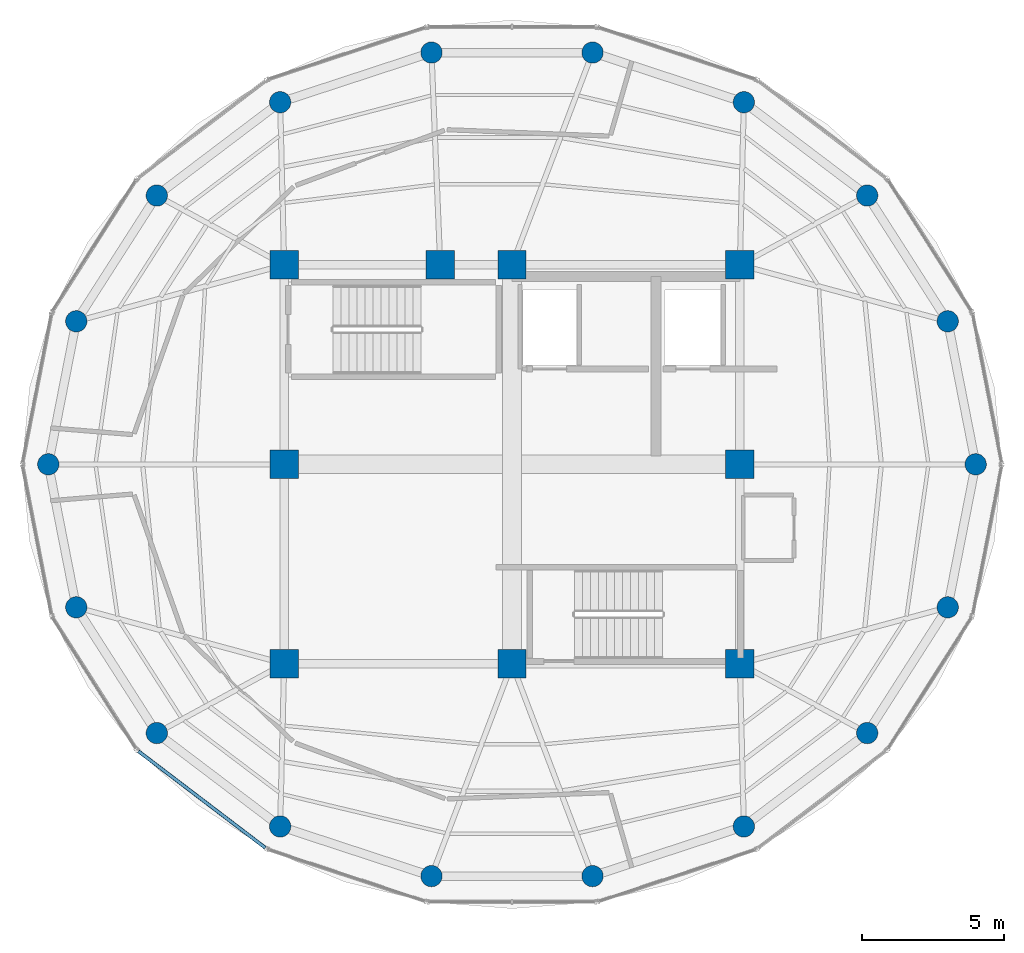
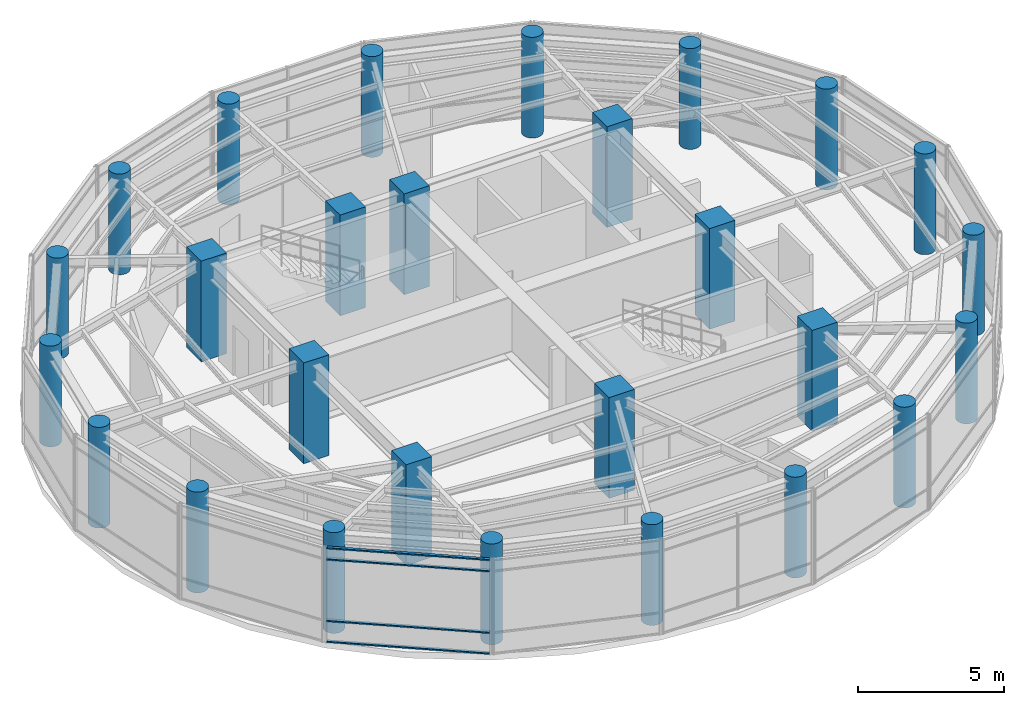
# One storey, part 1 of 19: 27 columns, 4 members, 1 element without a shape of its own.
"""IFC4 building model written with IfcOpenShell, lengths in metres."""

from ifc_helpers import new_model, si_unit, direction, frame, origin, origin_2d, place, context, subcontext, project, spatial, rectangle, hollow_rectangle, circle, extrude, material, layer, layer_set, material_profile, profile_set, type_object, element, aggregate, save


model = new_model("IFC4")

# Units and contexts
model_context = context("Model", 3, precision=1e-05, world=origin(), true_north=direction((0.0, 1.0)))
body_context = subcontext(model_context, "Body", "Model", "MODEL_VIEW")
ifc_project = project(units=[si_unit("LENGTHUNIT", "METRE"), si_unit("AREAUNIT", "SQUARE_METRE"), si_unit("VOLUMEUNIT", "CUBIC_METRE"), si_unit("PLANEANGLEUNIT", "RADIAN"), si_unit("MASSUNIT", "GRAM", prefix="KILO")], contexts=[model_context])

# Site, building, storey
site_placement = place(None, origin())
site = spatial("IfcSite", under=ifc_project, at=site_placement, CompositionType="ELEMENT")
building_placement = place(site_placement, origin())
building = spatial("IfcBuilding", under=site, at=building_placement, Name="Kelanora Arch Commons", CompositionType="ELEMENT")
storey_placement = place(building_placement, frame((0.0, 0.0, 306.89990234375)))
storey = spatial("IfcBuildingStorey", under=building, at=storey_placement, Name="L78", CompositionType="ELEMENT", Elevation=306.89990234375)

# Columns
ifc_material_1 = material(Name="Concrete C50/60", Category="concrete")
ifc_material_profile_1 = material_profile(ifc_material_1, circle(Radius=0.375, at=origin_2d()), Name="RCC750")
ifc_profile_set_1 = profile_set([ifc_material_profile_1], Name="Concrete C50/60")
column_type_1 = type_object("IfcColumnType", Name="COL-PERIM-Z6", PredefinedType="COLUMN", material=ifc_profile_set_1)
for number, where, z_axis, x_axis, name in (
    (1, (90.280029296875, 58.0, 0.0), (0.0, 0.0, 1.0), (1.0, 0.0, 0.0), "Perimeter Ring Column CP-00 L78"),
    (2, (89.298095703125, 63.02099609375, 0.0), (0.0, 0.0, 1.0), (1.0, 0.0, 0.0), "Perimeter Ring Column CP-02 L78"),
    (3, (86.47119140625, 67.43603515625, 0.0), (0.0, 0.0, 1.0), (1.0, 0.0, 0.0), "Perimeter Ring Column CP-04 L78"),
    (4, (82.139892578125, 70.71337890625, 0.0), (0.0, 0.0, 1.0), (1.0, 0.0, 0.0), "Perimeter Ring Column CP-06 L78"),
    (5, (76.826904296875, 72.45703125, 0.0), (0.0, 0.0, 1.0), (1.0, 0.0, 0.0), "Perimeter Ring Column CP-08 L78"),
    (6, (71.173095703125, 72.45703125, 0.0), (0.0, 0.0, 1.0), (1.0, 0.0, 0.0), "Perimeter Ring Column CP-10 L78"),
    (7, (65.860107421875, 70.71337890625, 0.0), (0.0, 0.0, 1.0), (1.0, 0.0, 0.0), "Perimeter Ring Column CP-12 L78"),
    (8, (61.52880859375, 67.43603515625, 0.0), (0.0, 0.0, 1.0), (1.0, 0.0, 0.0), "Perimeter Ring Column CP-14 L78"),
    (9, (58.701904296875, 63.02099609375, 0.0), (0.0, 0.0, 1.0), (1.0, 0.0, 0.0), "Perimeter Ring Column CP-16 L78"),
    (10, (57.719970703125, 58.0, 0.0), (0.0, 0.0, 1.0), (1.0, 0.0, 0.0), "Perimeter Ring Column CP-18 L78"),
    (11, (58.701904296875, 52.97900390625, 0.0), (0.0, 0.0, 1.0), (1.0, 0.0, 0.0), "Perimeter Ring Column CP-20 L78"),
    (12, (61.52880859375, 48.56396484375, 0.0), (0.0, 0.0, 1.0), (1.0, 0.0, 0.0), "Perimeter Ring Column CP-22 L78"),
    (13, (65.860107421875, 45.28662109375, 0.0), (0.0, 0.0, 1.0), (1.0, 0.0, 0.0), "Perimeter Ring Column CP-24 L78"),
    (14, (71.173095703125, 43.54296875, 0.0), (0.0, 0.0, 1.0), (1.0, 0.0, 0.0), "Perimeter Ring Column CP-26 L78"),
    (15, (76.826904296875, 43.54296875, 0.0), (0.0, 0.0, 1.0), (1.0, 0.0, 0.0), "Perimeter Ring Column CP-28 L78"),
    (16, (82.139892578125, 45.28662109375, 0.0), (0.0, 0.0, 1.0), (1.0, 0.0, 0.0), "Perimeter Ring Column CP-30 L78"),
    (17, (86.47119140625, 48.56396484375, 0.0), (0.0, 0.0, 1.0), (1.0, 0.0, 0.0), "Perimeter Ring Column CP-32 L78"),
    (18, (89.298095703125, 52.97900390625, 0.0), (0.0, 0.0, 1.0), (1.0, 0.0, 0.0), "Perimeter Ring Column CP-34 L78"),
):
    element("IfcColumn", number, at=place(storey_placement, frame(where, z_axis=z_axis, x_axis=x_axis)), inside=storey, type_object=column_type_1, Name=name, PredefinedType="COLUMN", context=body_context, shape_type="SweptSolid", body=[
        extrude(circle(Radius=0.375, at=origin_2d()), origin(), (0.0, 0.0, 1.0), 4.2001953125),
    ])
ifc_material_profile_2 = material_profile(ifc_material_1, rectangle(XDim=1.0, YDim=1.0, at=origin_2d()), Name="RC1000x1000")
ifc_profile_set_2 = profile_set([ifc_material_profile_2], Name="Concrete C50/60")
column_type_2 = type_object("IfcColumnType", Name="COL-PIL-HIGH", PredefinedType="PILASTER", material=ifc_profile_set_2)
for number, where, z_axis, x_axis, name in (
    (19, (66.0, 51.0, 0.0), (0.0, 0.0, 1.0), (1.0, 0.0, 0.0), "Core Pilaster Column CP1 L78"),
    (20, (74.0, 51.0, 0.0), (0.0, 0.0, 1.0), (1.0, 0.0, 0.0), "Core Pilaster Column CP2 L78"),
    (21, (82.0, 51.0, 0.0), (0.0, 0.0, 1.0), (1.0, 0.0, 0.0), "Core Pilaster Column CP3 L78"),
    (22, (82.0, 58.0, 0.0), (0.0, 0.0, 1.0), (1.0, 0.0, 0.0), "Core Pilaster Column CP4 L78"),
    (23, (82.0, 65.0, 0.0), (0.0, 0.0, 1.0), (1.0, 0.0, 0.0), "Core Pilaster Column CP5 L78"),
    (24, (74.0, 65.0, 0.0), (0.0, 0.0, 1.0), (1.0, 0.0, 0.0), "Core Pilaster Column CP6 L78"),
    (25, (71.47998046875, 65.0, 0.0), (0.0, 0.0, 1.0), (1.0, 0.0, 0.0), "Core Pilaster Column CP9 L78"),
    (26, (66.0, 65.0, 0.0), (0.0, 0.0, 1.0), (1.0, 0.0, 0.0), "Core Pilaster Column CP7 L78"),
    (27, (66.0, 58.0, 0.0), (0.0, 0.0, 1.0), (1.0, 0.0, 0.0), "Core Pilaster Column CP8 L78"),
):
    element("IfcColumn", number, at=place(storey_placement, frame(where, z_axis=z_axis, x_axis=x_axis)), inside=storey, type_object=column_type_2, Name=name, PredefinedType="PILASTER", context=body_context, shape_type="SweptSolid", body=[
        extrude(rectangle(XDim=1.0, YDim=1.0, at=origin_2d()), origin(), (0.0, 0.0, 1.0), 4.2001953125),
    ])

# Curtain wall, members
ifc_material_2 = material(Name="Terracotta ceramic-fritted low-E glass and aluminium", Category="masonry")
ifc_layer = layer(ifc_material_2, 0.14990234375)
ifc_layer_set = layer_set([ifc_layer], Name="Terracotta ceramic-fritted low-E glass and aluminium")
curtain_wall_type = type_object("IfcCurtainWallType", Name="CW-SYS-06", PredefinedType="NOTDEFINED", material=ifc_layer_set)
curtain_wall_placement = place(storey_placement, origin())
curtain_wall = element("IfcCurtainWall", 28, at=curtain_wall_placement, inside=storey, type_object=curtain_wall_type, Name="Unitised Curtain Wall L78-B11", PredefinedType="NOTDEFINED")
ifc_material_3 = material(Name="Powder-coated aluminium terracotta", Category="masonry")
ifc_material_profile_3 = material_profile(ifc_material_3, hollow_rectangle(XDim=0.1201171875, YDim=0.06005859375, WallThickness=0.0048828125, InnerFilletRadius=0.0048828125, OuterFilletRadius=0.010009765625, at=origin_2d()), Name="CWT120x60")
ifc_profile_set_3 = profile_set([ifc_material_profile_3], Name="Powder-coated aluminium terracotta")
member_type = type_object("IfcMemberType", Name="CWT-STD", PredefinedType="USERDEFINED", material=ifc_profile_set_3)
member_1_placement = place(storey_placement, frame((60.883544921875, 47.927001953125, 0.030029296875), z_axis=(0.79577982782, -0.605586051387, 0.0), x_axis=(0.605586051387, 0.79577982782, 0.0)))
member_1 = element("IfcMember", 29, at=member_1_placement, type_object=member_type, Name="CW-06 transom 1.1", ObjectType="TRANSOM", PredefinedType="USERDEFINED", context=body_context, shape_type="SweptSolid", body=[
    extrude(hollow_rectangle(XDim=0.1201171875, YDim=0.06005859375, WallThickness=0.0048828125, InnerFilletRadius=0.0048828125, OuterFilletRadius=0.010009765625, at=origin_2d()), origin(), (0.0, 0.0, 1.0), 5.6005859375),
])
member_2_placement = place(storey_placement, frame((60.883544921875, 47.927001953125, 0.900146484375), z_axis=(0.79577982782, -0.605586051387, 0.0), x_axis=(0.605586051387, 0.79577982782, 0.0)))
member_2 = element("IfcMember", 30, at=member_2_placement, type_object=member_type, Name="CW-06 transom 1.2", ObjectType="TRANSOM", PredefinedType="USERDEFINED", context=body_context, shape_type="SweptSolid", body=[
    extrude(hollow_rectangle(XDim=0.1201171875, YDim=0.06005859375, WallThickness=0.0048828125, InnerFilletRadius=0.0048828125, OuterFilletRadius=0.010009765625, at=origin_2d()), origin(), (0.0, 0.0, 1.0), 5.6005859375),
])
member_3_placement = place(storey_placement, frame((60.883544921875, 47.927001953125, 3.465087890625), z_axis=(0.79577982782, -0.605586051387, 0.0), x_axis=(0.605586051387, 0.79577982782, 0.0)))
member_3 = element("IfcMember", 31, at=member_3_placement, type_object=member_type, Name="CW-06 transom 1.3", ObjectType="TRANSOM", PredefinedType="USERDEFINED", context=body_context, shape_type="SweptSolid", body=[
    extrude(hollow_rectangle(XDim=0.1201171875, YDim=0.06005859375, WallThickness=0.0048828125, InnerFilletRadius=0.0048828125, OuterFilletRadius=0.010009765625, at=origin_2d()), origin(), (0.0, 0.0, 1.0), 5.6005859375),
])
member_4_placement = place(storey_placement, frame((60.883544921875, 47.927001953125, 3.93505859375), z_axis=(0.79577982782, -0.605586051387, 0.0), x_axis=(0.605586051387, 0.79577982782, 0.0)))
member_4 = element("IfcMember", 32, at=member_4_placement, type_object=member_type, Name="CW-06 transom 1.4", ObjectType="TRANSOM", PredefinedType="USERDEFINED", context=body_context, shape_type="SweptSolid", body=[
    extrude(hollow_rectangle(XDim=0.1201171875, YDim=0.06005859375, WallThickness=0.0048828125, InnerFilletRadius=0.0048828125, OuterFilletRadius=0.010009765625, at=origin_2d()), origin(), (0.0, 0.0, 1.0), 5.6005859375),
])
aggregate(curtain_wall, [member_1, member_2, member_3, member_4])

save(model, "model.ifc")
